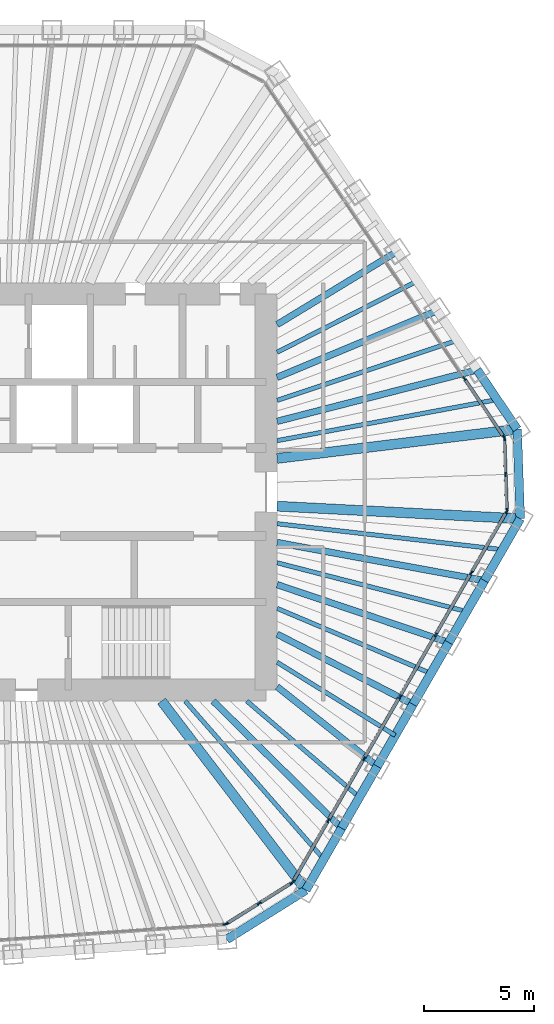
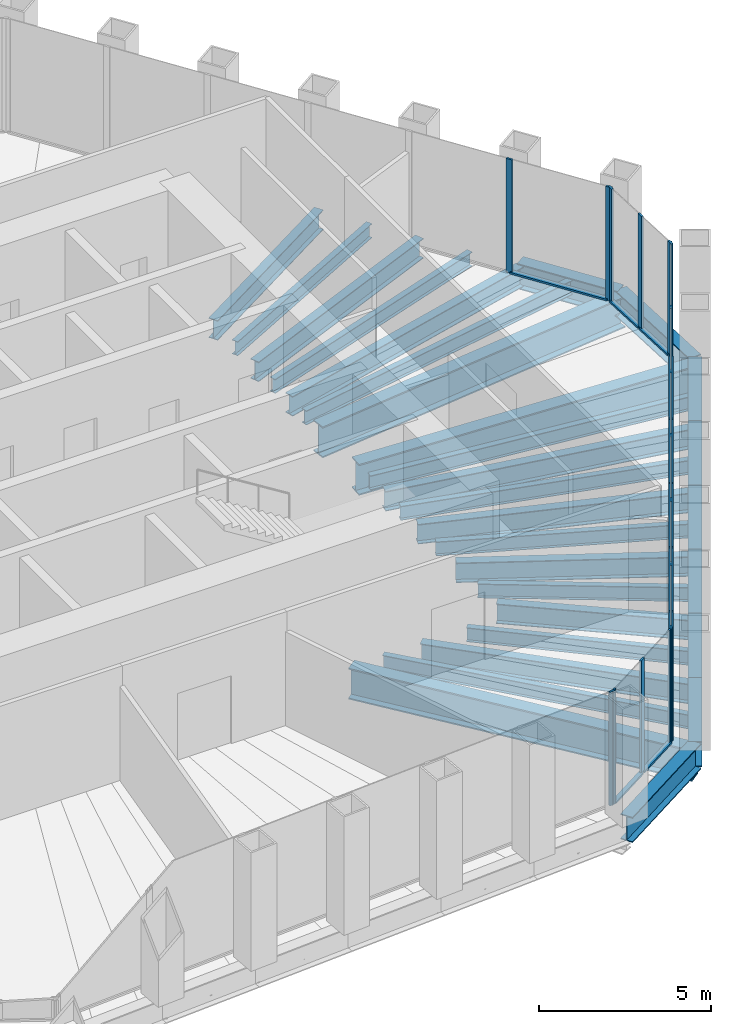
# One storey, part 5 of 14: 29 beams, 27 members, 5 elements without a shape of their own.
"""IFC4 building model written with IfcOpenShell, lengths in metres."""

from ifc_helpers import new_model, si_unit, direction, frame, origin, origin_2d, place, context, subcontext, project, spatial, rectangle, i_section, extrude, material, material_profile, profile_set, type_object, element, aggregate, save


model = new_model("IFC4")

# Units and contexts
model_context = context("Model", 3, precision=1e-05, world=origin(), true_north=direction((0.0, 1.0)))
body_context = subcontext(model_context, "Body", "Model", "MODEL_VIEW")
ifc_project = project(units=[si_unit("LENGTHUNIT", "METRE"), si_unit("AREAUNIT", "SQUARE_METRE"), si_unit("VOLUMEUNIT", "CUBIC_METRE"), si_unit("PLANEANGLEUNIT", "RADIAN"), si_unit("MASSUNIT", "GRAM", prefix="KILO")], contexts=[model_context])

# Site, building, storey
site_placement = place(None, origin())
site = spatial("IfcSite", under=ifc_project, at=site_placement, CompositionType="ELEMENT")
building_placement = place(site_placement, origin())
building = spatial("IfcBuilding", under=site, at=building_placement, Name="Qingtian Harvest Tower", CompositionType="ELEMENT")
storey_placement = place(building_placement, frame((0.0, 0.0, 287.199951171875)))
storey = spatial("IfcBuildingStorey", under=building, at=storey_placement, Name="L63", CompositionType="ELEMENT", Elevation=287.199951171875)

# Beams
ifc_material_1 = material(Name="Steel SM570MC", Category="steel")
ifc_material_profile_1 = material_profile(ifc_material_1, i_section(OverallWidth=0.449951171875, OverallDepth=1.10009765625, WebThickness=0.02197265625, FlangeThickness=0.044921875, at=origin_2d()), Name="H1100x450x22x45")
ifc_profile_set_1 = profile_set([ifc_material_profile_1], Name="Steel SM570MC")
beam_type_1 = type_object("IfcBeamType", Name="Corner floor beam FB8 H1100x450x22x45", PredefinedType="BEAM", material=ifc_profile_set_1)
beam_1_placement = place(storey_placement, frame((23.405517578125, 2.85400390625, -0.719970703125), z_axis=(-0.99264704984, -0.12104476215, 0.0), x_axis=(0.12104476215, -0.99264704984, 0.0)))
element("IfcBeam", 1, at=beam_1_placement, inside=storey, type_object=beam_type_1, Name="Floor beam FB8 NE6", PredefinedType="BEAM", context=body_context, shape_type="SweptSolid", body=[
    extrude(i_section(OverallWidth=0.449951171875, OverallDepth=1.10009765625, WebThickness=0.02197265625, FlangeThickness=0.044921875, at=origin_2d()), origin(), (0.0, 0.0, 1.0), 10.986328125),
])
beam_2_placement = place(storey_placement, frame((23.547607421875, -1.21435546875, -0.719970703125), z_axis=(-0.998672453152, 0.051510497131, 0.0), x_axis=(-0.051510497131, -0.998672453152, 0.0)))
element("IfcBeam", 2, at=beam_2_placement, inside=storey, type_object=beam_type_1, Name="Floor beam FB8 SE0", PredefinedType="BEAM", context=body_context, shape_type="SweptSolid", body=[
    extrude(i_section(OverallWidth=0.449951171875, OverallDepth=1.10009765625, WebThickness=0.02197265625, FlangeThickness=0.044921875, at=origin_2d()), origin(), (0.0, 0.0, 1.0), 11.062255859375),
])
beam_3_placement = place(storey_placement, frame((13.803466796875, -18.091552734375, -0.719970703125), z_axis=(-0.60658352266, 0.795019767073, 0.0), x_axis=(-0.795019767073, -0.60658352266, 0.0)))
element("IfcBeam", 3, at=beam_3_placement, inside=storey, type_object=beam_type_1, Name="Floor beam FB8 SE6", PredefinedType="BEAM", context=body_context, shape_type="SweptSolid", body=[
    extrude(i_section(OverallWidth=0.449951171875, OverallDepth=1.10009765625, WebThickness=0.02197265625, FlangeThickness=0.044921875, at=origin_2d()), origin(), (0.0, 0.0, 1.0), 10.806640625),
])
ifc_material_2 = material(Name="Steel SN490B", Category="steel")
ifc_material_profile_2 = material_profile(ifc_material_2, i_section(OverallWidth=0.300048828125, OverallDepth=0.699951171875, WebThickness=0.012939453125, FlangeThickness=0.02392578125, at=origin_2d()), Name="H700x300x13x24")
ifc_profile_set_2 = profile_set([ifc_material_profile_2], Name="Steel SN490B")
beam_type_2 = type_object("IfcBeamType", Name="Floor beam FB4 H700x300x13x24", PredefinedType="BEAM", material=ifc_profile_set_2)
beam_4_placement = place(storey_placement, frame((17.956787109375, 10.93212890625, -0.52001953125), z_axis=(-0.854163869478, -0.520003926983, 0.0), x_axis=(0.520003926983, -0.854163869478, 0.0)))
element("IfcBeam", 4, at=beam_4_placement, inside=storey, type_object=beam_type_2, Name="Floor beam FB4 NE3", PredefinedType="BEAM", context=body_context, shape_type="SweptSolid", body=[
    extrude(i_section(OverallWidth=0.300048828125, OverallDepth=0.699951171875, WebThickness=0.012939453125, FlangeThickness=0.02392578125, at=origin_2d()), origin(), (0.0, 0.0, 1.0), 6.388427734375),
])
beam_5_placement = place(storey_placement, frame((19.77294921875, 8.2392578125, -0.52001953125), z_axis=(-0.923071422518, -0.38462858569, 0.0), x_axis=(0.38462858569, -0.923071422518, 0.0)))
element("IfcBeam", 5, at=beam_5_placement, inside=storey, type_object=beam_type_2, Name="Floor beam FB4 NE4", PredefinedType="BEAM", context=body_context, shape_type="SweptSolid", body=[
    extrude(i_section(OverallWidth=0.300048828125, OverallDepth=0.699951171875, WebThickness=0.012939453125, FlangeThickness=0.02392578125, at=origin_2d()), origin(), (0.0, 0.0, 1.0), 7.879150390625),
])
beam_6_placement = place(storey_placement, frame((21.58935546875, 5.546630859375, -0.52001953125), z_axis=(-0.968545797703, -0.248835362746, 0.0), x_axis=(0.248835362746, -0.968545797703, 0.0)))
element("IfcBeam", 6, at=beam_6_placement, inside=storey, type_object=beam_type_2, Name="Floor beam FB4 NE5", PredefinedType="BEAM", context=body_context, shape_type="SweptSolid", body=[
    extrude(i_section(OverallWidth=0.300048828125, OverallDepth=0.699951171875, WebThickness=0.012939453125, FlangeThickness=0.02392578125, at=origin_2d()), origin(), (0.0, 0.0, 1.0), 9.384521484375),
])
beam_7_placement = place(storey_placement, frame((21.923583984375, -4.027099609375, -0.52001953125), z_axis=(-0.983545410638, 0.180661078303, 0.0), x_axis=(-0.180661078303, -0.983545410638, 0.0)))
element("IfcBeam", 7, at=beam_7_placement, inside=storey, type_object=beam_type_2, Name="Floor beam FB4 SE1", PredefinedType="BEAM", context=body_context, shape_type="SweptSolid", body=[
    extrude(i_section(OverallWidth=0.300048828125, OverallDepth=0.699951171875, WebThickness=0.012939453125, FlangeThickness=0.02392578125, at=origin_2d()), origin(), (0.0, 0.0, 1.0), 9.581298828125),
])
beam_8_placement = place(storey_placement, frame((20.299560546875, -6.840087890625, -0.52001953125), z_axis=(-0.947645968799, 0.319322905253, 0.0), x_axis=(-0.319322905253, -0.947645968799, 0.0)))
element("IfcBeam", 8, at=beam_8_placement, inside=storey, type_object=beam_type_2, Name="Floor beam FB4 SE2", PredefinedType="BEAM", context=body_context, shape_type="SweptSolid", body=[
    extrude(i_section(OverallWidth=0.300048828125, OverallDepth=0.699951171875, WebThickness=0.012939453125, FlangeThickness=0.02392578125, at=origin_2d()), origin(), (0.0, 0.0, 1.0), 8.23046875),
])
beam_9_placement = place(storey_placement, frame((18.675537109375, -9.65283203125, -0.52001953125), z_axis=(-0.888355479692, 0.459156336884, 0.0), x_axis=(-0.459156336884, -0.888355479692, 0.0)))
element("IfcBeam", 9, at=beam_9_placement, inside=storey, type_object=beam_type_2, Name="Floor beam FB4 SE3", PredefinedType="BEAM", context=body_context, shape_type="SweptSolid", body=[
    extrude(i_section(OverallWidth=0.300048828125, OverallDepth=0.699951171875, WebThickness=0.012939453125, FlangeThickness=0.02392578125, at=origin_2d()), origin(), (0.0, 0.0, 1.0), 6.95166015625),
])
beam_10_placement = place(storey_placement, frame((17.051513671875, -12.4658203125, -0.52001953125), z_axis=(-0.783003151269, 0.622017736968, 0.0), x_axis=(-0.622017736968, -0.783003151269, 0.0)))
element("IfcBeam", 10, at=beam_10_placement, inside=storey, type_object=beam_type_2, Name="Floor beam FB4 SE4", PredefinedType="BEAM", context=body_context, shape_type="SweptSolid", body=[
    extrude(i_section(OverallWidth=0.300048828125, OverallDepth=0.699951171875, WebThickness=0.012939453125, FlangeThickness=0.02392578125, at=origin_2d()), origin(), (0.0, 0.0, 1.0), 5.81298828125),
])
beam_11_placement = place(storey_placement, frame((15.427490234375, -15.278564453125, -0.52001953125), z_axis=(-0.710532187344, 0.703664700513, 0.0), x_axis=(-0.703664700513, -0.710532187344, 0.0)))
element("IfcBeam", 11, at=beam_11_placement, inside=storey, type_object=beam_type_2, Name="Floor beam FB4 SE5", PredefinedType="BEAM", context=body_context, shape_type="SweptSolid", body=[
    extrude(i_section(OverallWidth=0.300048828125, OverallDepth=0.699951171875, WebThickness=0.012939453125, FlangeThickness=0.02392578125, at=origin_2d()), origin(), (0.0, 0.0, 1.0), 8.212158203125),
])
ifc_material_3 = material(Name="Steel SN490B", Category="steel")
ifc_material_profile_3 = material_profile(ifc_material_3, i_section(OverallWidth=0.199951171875, OverallDepth=0.5, WebThickness=0.010009765625, FlangeThickness=0.01611328125, at=origin_2d()), Name="H500x200x10x16")
ifc_profile_set_3 = profile_set([ifc_material_profile_3], Name="Steel SN490B")
beam_type_3 = type_object("IfcBeamType", Name="Floor joist J3 H500x200x10x16", PredefinedType="JOIST", material=ifc_profile_set_3)
beam_12_placement = place(storey_placement, frame((18.864990234375, 9.585693359375, -0.419921875), z_axis=(-0.891515522375, -0.452990147094, 0.0), x_axis=(0.452990147094, -0.891515522375, 0.0)))
element("IfcBeam", 12, at=beam_12_placement, inside=storey, type_object=beam_type_3, Name="Floor joist J3 NE3", PredefinedType="JOIST", context=body_context, shape_type="SweptSolid", body=[
    extrude(i_section(OverallWidth=0.199951171875, OverallDepth=0.5, WebThickness=0.010009765625, FlangeThickness=0.01611328125, at=origin_2d()), origin(), (0.0, 0.0, 1.0), 7.139404296875),
])
beam_13_placement = place(storey_placement, frame((20.68115234375, 6.89306640625, -0.419921875), z_axis=(-0.94869179092, -0.316202286267, 0.0), x_axis=(0.316202286267, -0.94869179092, 0.0)))
element("IfcBeam", 13, at=beam_13_placement, inside=storey, type_object=beam_type_3, Name="Floor joist J3 NE4", PredefinedType="JOIST", context=body_context, shape_type="SweptSolid", body=[
    extrude(i_section(OverallWidth=0.199951171875, OverallDepth=0.5, WebThickness=0.010009765625, FlangeThickness=0.01611328125, at=origin_2d()), origin(), (0.0, 0.0, 1.0), 8.62353515625),
])
beam_14_placement = place(storey_placement, frame((22.49755859375, 4.2001953125, -0.419921875), z_axis=(-0.983015918388, -0.183520310038, 0.0), x_axis=(0.183520310038, -0.983015918388, 0.0)))
element("IfcBeam", 14, at=beam_14_placement, inside=storey, type_object=beam_type_3, Name="Floor joist J3 NE5", PredefinedType="JOIST", context=body_context, shape_type="SweptSolid", body=[
    extrude(i_section(OverallWidth=0.199951171875, OverallDepth=0.5, WebThickness=0.010009765625, FlangeThickness=0.01611328125, at=origin_2d()), origin(), (0.0, 0.0, 1.0), 10.17041015625),
])
beam_15_placement = place(storey_placement, frame((22.735595703125, -2.62060546875, -0.419921875), z_axis=(-0.993423767351, 0.114495495381, 0.0), x_axis=(-0.114495495381, -0.993423767351, 0.0)))
element("IfcBeam", 15, at=beam_15_placement, inside=storey, type_object=beam_type_3, Name="Floor joist J3 SE0", PredefinedType="JOIST", context=body_context, shape_type="SweptSolid", body=[
    extrude(i_section(OverallWidth=0.199951171875, OverallDepth=0.5, WebThickness=0.010009765625, FlangeThickness=0.01611328125, at=origin_2d()), origin(), (0.0, 0.0, 1.0), 10.303466796875),
])
beam_16_placement = place(storey_placement, frame((21.111572265625, -5.43359375, -0.419921875), z_axis=(-0.968434631662, 0.249267655738, 0.0), x_axis=(-0.249267655738, -0.968434631662, 0.0)))
element("IfcBeam", 16, at=beam_16_placement, inside=storey, type_object=beam_type_3, Name="Floor joist J3 SE1", PredefinedType="JOIST", context=body_context, shape_type="SweptSolid", body=[
    extrude(i_section(OverallWidth=0.199951171875, OverallDepth=0.5, WebThickness=0.010009765625, FlangeThickness=0.01611328125, at=origin_2d()), origin(), (0.0, 0.0, 1.0), 8.892333984375),
])
beam_17_placement = place(storey_placement, frame((19.487548828125, -8.246337890625, -0.419921875), z_axis=(-0.920942823677, 0.389697723265, 0.0), x_axis=(-0.389697723265, -0.920942823677, 0.0)))
element("IfcBeam", 17, at=beam_17_placement, inside=storey, type_object=beam_type_3, Name="Floor joist J3 SE2", PredefinedType="JOIST", context=body_context, shape_type="SweptSolid", body=[
    extrude(i_section(OverallWidth=0.199951171875, OverallDepth=0.5, WebThickness=0.010009765625, FlangeThickness=0.01611328125, at=origin_2d()), origin(), (0.0, 0.0, 1.0), 7.58740234375),
])
beam_18_placement = place(storey_placement, frame((17.863525390625, -11.059326171875, -0.419921875), z_axis=(-0.850245350939, 0.52638659102, 0.0), x_axis=(-0.52638659102, -0.850245350939, 0.0)))
element("IfcBeam", 18, at=beam_18_placement, inside=storey, type_object=beam_type_3, Name="Floor joist J3 SE3", PredefinedType="JOIST", context=body_context, shape_type="SweptSolid", body=[
    extrude(i_section(OverallWidth=0.199951171875, OverallDepth=0.5, WebThickness=0.010009765625, FlangeThickness=0.01611328125, at=origin_2d()), origin(), (0.0, 0.0, 1.0), 6.30810546875),
])
beam_19_placement = place(storey_placement, frame((16.239501953125, -13.8720703125, -0.419921875), z_axis=(-0.760351288112, 0.649512061987, 0.0), x_axis=(-0.649512061987, -0.760351288112, 0.0)))
element("IfcBeam", 19, at=beam_19_placement, inside=storey, type_object=beam_type_3, Name="Floor joist J3 SE4", PredefinedType="JOIST", context=body_context, shape_type="SweptSolid", body=[
    extrude(i_section(OverallWidth=0.199951171875, OverallDepth=0.5, WebThickness=0.010009765625, FlangeThickness=0.01611328125, at=origin_2d()), origin(), (0.0, 0.0, 1.0), 6.731201171875),
])
beam_20_placement = place(storey_placement, frame((14.615478515625, -16.68505859375, -0.419921875), z_axis=(-0.658906232771, 0.752225083612, 0.0), x_axis=(-0.752225083612, -0.658906232771, 0.0)))
element("IfcBeam", 20, at=beam_20_placement, inside=storey, type_object=beam_type_3, Name="Floor joist J3 SE5", PredefinedType="JOIST", context=body_context, shape_type="SweptSolid", body=[
    extrude(i_section(OverallWidth=0.199951171875, OverallDepth=0.5, WebThickness=0.010009765625, FlangeThickness=0.01611328125, at=origin_2d()), origin(), (0.0, 0.0, 1.0), 9.5517578125),
])

# Curtain wall, members
ifc_material_4 = material(Name="Bronze-anodised aluminium curtain wall", Category="aluminium")
curtain_wall_type = type_object("IfcCurtainWallType", Name="Curtain wall CW5 upper office", PredefinedType="USERDEFINED", material=ifc_material_4)
curtain_wall_1_placement = place(storey_placement, origin())
curtain_wall_1 = element("IfcCurtainWall", 21, at=curtain_wall_1_placement, inside=storey, type_object=curtain_wall_type, Name="Curtain wall CW5 L63 NE0-5", ObjectType="RECESSED CURTAIN WALL", PredefinedType="USERDEFINED")
ifc_material_5 = material(Name="Bronze-anodised aluminium mullion", Category="aluminium")
ifc_material_profile_4 = material_profile(ifc_material_5, rectangle(XDim=0.06494140625, YDim=0.199951171875, at=origin_2d()), Name="AL 65x200")
ifc_profile_set_4 = profile_set([ifc_material_profile_4], Name="Bronze-anodised aluminium mullion")
member_type_1 = type_object("IfcMemberType", Name="Mullion CWM 65x200", PredefinedType="MULLION", material=ifc_profile_set_4)
member_1_placement = place(storey_placement, frame((21.009033203125, 5.1552734375, 0.0), z_axis=(0.0, 0.0, 1.0), x_axis=(0.829037572555, 0.559192903471, 0.0)))
member_1 = element("IfcMember", 22, at=member_1_placement, type_object=member_type_1, Name="CW5 mullion 6", PredefinedType="MULLION", context=body_context, shape_type="SweptSolid", body=[
    extrude(rectangle(XDim=0.06494140625, YDim=0.199951171875, at=origin_2d()), origin(), (0.0, 0.0, 1.0), 4.030029296875),
])
member_2_placement = place(storey_placement, frame((22.80712890625, 2.489501953125, 0.0), z_axis=(0.0, 0.0, 1.0), x_axis=(0.829037572555, 0.559192903471, 0.0)))
member_2 = element("IfcMember", 23, at=member_2_placement, type_object=member_type_1, Name="CW5 mullion 7", PredefinedType="MULLION", context=body_context, shape_type="SweptSolid", body=[
    extrude(rectangle(XDim=0.06494140625, YDim=0.199951171875, at=origin_2d()), origin(), (0.0, 0.0, 1.0), 4.030029296875),
])

curtain_wall_2_placement = place(storey_placement, origin())
curtain_wall_2 = element("IfcCurtainWall", 24, at=curtain_wall_2_placement, inside=storey, type_object=curtain_wall_type, Name="Curtain wall CW5 L63 NEC", ObjectType="RECESSED CURTAIN WALL", PredefinedType="USERDEFINED")
member_3_placement = place(storey_placement, frame((22.826416015625, 2.429931640625, 0.0), z_axis=(0.0, 0.0, 1.0), x_axis=(0.999390827019, 0.034899496703, 0.0)))
member_3 = element("IfcMember", 25, at=member_3_placement, type_object=member_type_1, Name="CW5 mullion 1", PredefinedType="MULLION", context=body_context, shape_type="SweptSolid", body=[
    extrude(rectangle(XDim=0.06494140625, YDim=0.199951171875, at=origin_2d()), origin(), (0.0, 0.0, 1.0), 4.030029296875),
])
member_4_placement = place(storey_placement, frame((22.88330078125, 0.799072265625, 0.0), z_axis=(0.0, 0.0, 1.0), x_axis=(0.999390827019, 0.034899496703, 0.0)))
member_4 = element("IfcMember", 26, at=member_4_placement, type_object=member_type_1, Name="CW5 mullion 2", PredefinedType="MULLION", context=body_context, shape_type="SweptSolid", body=[
    extrude(rectangle(XDim=0.06494140625, YDim=0.199951171875, at=origin_2d()), origin(), (0.0, 0.0, 1.0), 4.030029296875),
])
member_5_placement = place(storey_placement, frame((22.9404296875, -0.831787109375, 0.0), z_axis=(0.0, 0.0, 1.0), x_axis=(0.999390827019, 0.034899496703, 0.0)))
member_5 = element("IfcMember", 27, at=member_5_placement, type_object=member_type_1, Name="CW5 mullion 3", PredefinedType="MULLION", context=body_context, shape_type="SweptSolid", body=[
    extrude(rectangle(XDim=0.06494140625, YDim=0.199951171875, at=origin_2d()), origin(), (0.0, 0.0, 1.0), 4.030029296875),
])

curtain_wall_3_placement = place(storey_placement, origin())
curtain_wall_3 = element("IfcCurtainWall", 28, at=curtain_wall_3_placement, inside=storey, type_object=curtain_wall_type, Name="Curtain wall CW5 L63 SE0-5", ObjectType="RECESSED CURTAIN WALL", PredefinedType="USERDEFINED")
member_6_placement = place(storey_placement, frame((22.92529296875, -0.892333984375, 0.0), z_axis=(0.0, 0.0, 1.0), x_axis=(0.866025403784, -0.5, 0.0)))
member_6 = element("IfcMember", 29, at=member_6_placement, type_object=member_type_1, Name="CW5 mullion 1", PredefinedType="MULLION", context=body_context, shape_type="SweptSolid", body=[
    extrude(rectangle(XDim=0.06494140625, YDim=0.199951171875, at=origin_2d()), origin(), (0.0, 0.0, 1.0), 4.030029296875),
])
member_7_placement = place(storey_placement, frame((21.3173828125, -3.67724609375, 0.0), z_axis=(0.0, 0.0, 1.0), x_axis=(0.866025403784, -0.5, 0.0)))
member_7 = element("IfcMember", 30, at=member_7_placement, type_object=member_type_1, Name="CW5 mullion 2", PredefinedType="MULLION", context=body_context, shape_type="SweptSolid", body=[
    extrude(rectangle(XDim=0.06494140625, YDim=0.199951171875, at=origin_2d()), origin(), (0.0, 0.0, 1.0), 4.030029296875),
])
member_8_placement = place(storey_placement, frame((19.693359375, -6.489990234375, 0.0), z_axis=(0.0, 0.0, 1.0), x_axis=(0.866025403784, -0.5, 0.0)))
member_8 = element("IfcMember", 31, at=member_8_placement, type_object=member_type_1, Name="CW5 mullion 3", PredefinedType="MULLION", context=body_context, shape_type="SweptSolid", body=[
    extrude(rectangle(XDim=0.06494140625, YDim=0.199951171875, at=origin_2d()), origin(), (0.0, 0.0, 1.0), 4.030029296875),
])
member_9_placement = place(storey_placement, frame((18.0693359375, -9.302978515625, 0.0), z_axis=(0.0, 0.0, 1.0), x_axis=(0.866025403784, -0.5, 0.0)))
member_9 = element("IfcMember", 32, at=member_9_placement, type_object=member_type_1, Name="CW5 mullion 4", PredefinedType="MULLION", context=body_context, shape_type="SweptSolid", body=[
    extrude(rectangle(XDim=0.06494140625, YDim=0.199951171875, at=origin_2d()), origin(), (0.0, 0.0, 1.0), 4.030029296875),
])
member_10_placement = place(storey_placement, frame((16.4453125, -12.11572265625, 0.0), z_axis=(0.0, 0.0, 1.0), x_axis=(0.866025403784, -0.5, 0.0)))
member_10 = element("IfcMember", 33, at=member_10_placement, type_object=member_type_1, Name="CW5 mullion 5", PredefinedType="MULLION", context=body_context, shape_type="SweptSolid", body=[
    extrude(rectangle(XDim=0.06494140625, YDim=0.199951171875, at=origin_2d()), origin(), (0.0, 0.0, 1.0), 4.030029296875),
])
member_11_placement = place(storey_placement, frame((14.8212890625, -14.9287109375, 0.0), z_axis=(0.0, 0.0, 1.0), x_axis=(0.866025403784, -0.5, 0.0)))
member_11 = element("IfcMember", 34, at=member_11_placement, type_object=member_type_1, Name="CW5 mullion 6", PredefinedType="MULLION", context=body_context, shape_type="SweptSolid", body=[
    extrude(rectangle(XDim=0.06494140625, YDim=0.199951171875, at=origin_2d()), origin(), (0.0, 0.0, 1.0), 4.030029296875),
])
member_12_placement = place(storey_placement, frame((13.213623046875, -17.71337890625, 0.0), z_axis=(0.0, 0.0, 1.0), x_axis=(0.866025403784, -0.5, 0.0)))
member_12 = element("IfcMember", 35, at=member_12_placement, type_object=member_type_1, Name="CW5 mullion 7", PredefinedType="MULLION", context=body_context, shape_type="SweptSolid", body=[
    extrude(rectangle(XDim=0.06494140625, YDim=0.199951171875, at=origin_2d()), origin(), (0.0, 0.0, 1.0), 4.030029296875),
])

curtain_wall_4_placement = place(storey_placement, origin())
curtain_wall_4 = element("IfcCurtainWall", 36, at=curtain_wall_4_placement, inside=storey, type_object=curtain_wall_type, Name="Curtain wall CW5 L63 SEC", ObjectType="RECESSED CURTAIN WALL", PredefinedType="USERDEFINED")
member_13_placement = place(storey_placement, frame((13.169921875, -17.7587890625, 0.0), z_axis=(0.0, 0.0, 1.0), x_axis=(0.529919264233, -0.848048096156, 0.0)))
member_13 = element("IfcMember", 37, at=member_13_placement, type_object=member_type_1, Name="CW5 mullion 1", PredefinedType="MULLION", context=body_context, shape_type="SweptSolid", body=[
    extrude(rectangle(XDim=0.06494140625, YDim=0.199951171875, at=origin_2d()), origin(), (0.0, 0.0, 1.0), 4.030029296875),
])
member_14_placement = place(storey_placement, frame((11.678955078125, -18.690185546875, 0.0), z_axis=(0.0, 0.0, 1.0), x_axis=(0.529919264233, -0.848048096156, 0.0)))
member_14 = element("IfcMember", 38, at=member_14_placement, type_object=member_type_1, Name="CW5 mullion 2", PredefinedType="MULLION", context=body_context, shape_type="SweptSolid", body=[
    extrude(rectangle(XDim=0.06494140625, YDim=0.199951171875, at=origin_2d()), origin(), (0.0, 0.0, 1.0), 4.030029296875),
])
member_15_placement = place(storey_placement, frame((10.188232421875, -19.621826171875, 0.0), z_axis=(0.0, 0.0, 1.0), x_axis=(0.529919264233, -0.848048096156, 0.0)))
member_15 = element("IfcMember", 39, at=member_15_placement, type_object=member_type_1, Name="CW5 mullion 3", PredefinedType="MULLION", context=body_context, shape_type="SweptSolid", body=[
    extrude(rectangle(XDim=0.06494140625, YDim=0.199951171875, at=origin_2d()), origin(), (0.0, 0.0, 1.0), 4.030029296875),
])

# Curtain wall, member
curtain_wall_5_placement = place(storey_placement, origin())
curtain_wall_5 = element("IfcCurtainWall", 40, at=curtain_wall_5_placement, inside=storey, type_object=curtain_wall_type, Name="Curtain wall CW5 L63 S0-5", ObjectType="RECESSED CURTAIN WALL", PredefinedType="USERDEFINED")
member_16_placement = place(storey_placement, frame((10.128173828125, -19.641357421875, 0.0), z_axis=(0.0, 0.0, 1.0), x_axis=(0.069756473744, -0.99756405026, 0.0)))
member_16 = element("IfcMember", 41, at=member_16_placement, type_object=member_type_1, Name="CW5 mullion 1", PredefinedType="MULLION", context=body_context, shape_type="SweptSolid", body=[
    extrude(rectangle(XDim=0.06494140625, YDim=0.199951171875, at=origin_2d()), origin(), (0.0, 0.0, 1.0), 4.030029296875),
])
aggregate(curtain_wall_5, [member_16])

# Beams
ifc_material_6 = material(Name="Steel SN490B", Category="steel")
ifc_material_profile_5 = material_profile(ifc_material_6, i_section(OverallWidth=0.39990234375, OverallDepth=0.89990234375, WebThickness=0.01904296875, FlangeThickness=0.035888671875, at=origin_2d()), Name="H900x400x19x36")
ifc_profile_set_5 = profile_set([ifc_material_profile_5], Name="Steel SN490B")
beam_type_4 = type_object("IfcBeamType", Name="Spandrel beam SB4 H900x400x19x36", PredefinedType="SPANDREL", material=ifc_profile_set_5)
beam_21_placement = place(storey_placement, frame((21.58935546875, 5.546630859375, -0.449951171875), z_axis=(0.559184924833, -0.829042954158, 0.0), x_axis=(0.829042954158, 0.559184924833, 0.0)))
element("IfcBeam", 42, at=beam_21_placement, inside=storey, type_object=beam_type_4, Name="Spandrel SB4 NE5", PredefinedType="SPANDREL", context=body_context, shape_type="SweptSolid", body=[
    extrude(i_section(OverallWidth=0.39990234375, OverallDepth=0.89990234375, WebThickness=0.01904296875, FlangeThickness=0.035888671875, at=origin_2d()), origin(), (0.0, 0.0, 1.0), 3.247802734375),
])
beam_22_placement = place(storey_placement, frame((23.405517578125, 2.85400390625, -0.449951171875), z_axis=(0.034904306503, -0.999390659046, 0.0), x_axis=(0.999390659046, 0.034904306503, 0.0)))
element("IfcBeam", 43, at=beam_22_placement, inside=storey, type_object=beam_type_4, Name="Spandrel SB4 NEC", PredefinedType="SPANDREL", context=body_context, shape_type="SweptSolid", body=[
    extrude(i_section(OverallWidth=0.39990234375, OverallDepth=0.89990234375, WebThickness=0.01904296875, FlangeThickness=0.035888671875, at=origin_2d()), origin(), (0.0, 0.0, 1.0), 4.07080078125),
])
beam_23_placement = place(storey_placement, frame((23.547607421875, -1.21435546875, -0.449951171875), z_axis=(-0.500019593356, -0.866014091259, 0.0), x_axis=(0.866014091259, -0.500019593356, 0.0)))
element("IfcBeam", 44, at=beam_23_placement, inside=storey, type_object=beam_type_4, Name="Spandrel SB4 SE0", PredefinedType="SPANDREL", context=body_context, shape_type="SweptSolid", body=[
    extrude(i_section(OverallWidth=0.39990234375, OverallDepth=0.89990234375, WebThickness=0.01904296875, FlangeThickness=0.035888671875, at=origin_2d()), origin(), (0.0, 0.0, 1.0), 3.247802734375),
])
beam_24_placement = place(storey_placement, frame((21.923583984375, -4.027099609375, -0.449951171875), z_axis=(-0.499987045439, -0.866032882975, 0.0), x_axis=(0.866032882975, -0.499987045439, 0.0)))
element("IfcBeam", 45, at=beam_24_placement, inside=storey, type_object=beam_type_4, Name="Spandrel SB4 SE1", PredefinedType="SPANDREL", context=body_context, shape_type="SweptSolid", body=[
    extrude(i_section(OverallWidth=0.39990234375, OverallDepth=0.89990234375, WebThickness=0.01904296875, FlangeThickness=0.035888671875, at=origin_2d()), origin(), (0.0, 0.0, 1.0), 3.248046875),
])
beam_25_placement = place(storey_placement, frame((20.299560546875, -6.840087890625, -0.449951171875), z_axis=(-0.500019593356, -0.866014091259, 0.0), x_axis=(0.866014091259, -0.500019593356, 0.0)))
element("IfcBeam", 46, at=beam_25_placement, inside=storey, type_object=beam_type_4, Name="Spandrel SB4 SE2", PredefinedType="SPANDREL", context=body_context, shape_type="SweptSolid", body=[
    extrude(i_section(OverallWidth=0.39990234375, OverallDepth=0.89990234375, WebThickness=0.01904296875, FlangeThickness=0.035888671875, at=origin_2d()), origin(), (0.0, 0.0, 1.0), 3.247802734375),
])
beam_26_placement = place(storey_placement, frame((18.675537109375, -9.65283203125, -0.449951171875), z_axis=(-0.499987045439, -0.866032882975, 0.0), x_axis=(0.866032882975, -0.499987045439, 0.0)))
element("IfcBeam", 47, at=beam_26_placement, inside=storey, type_object=beam_type_4, Name="Spandrel SB4 SE3", PredefinedType="SPANDREL", context=body_context, shape_type="SweptSolid", body=[
    extrude(i_section(OverallWidth=0.39990234375, OverallDepth=0.89990234375, WebThickness=0.01904296875, FlangeThickness=0.035888671875, at=origin_2d()), origin(), (0.0, 0.0, 1.0), 3.248046875),
])
beam_27_placement = place(storey_placement, frame((17.051513671875, -12.4658203125, -0.449951171875), z_axis=(-0.500019593356, -0.866014091259, 0.0), x_axis=(0.866014091259, -0.500019593356, 0.0)))
element("IfcBeam", 48, at=beam_27_placement, inside=storey, type_object=beam_type_4, Name="Spandrel SB4 SE4", PredefinedType="SPANDREL", context=body_context, shape_type="SweptSolid", body=[
    extrude(i_section(OverallWidth=0.39990234375, OverallDepth=0.89990234375, WebThickness=0.01904296875, FlangeThickness=0.035888671875, at=origin_2d()), origin(), (0.0, 0.0, 1.0), 3.247802734375),
])
beam_28_placement = place(storey_placement, frame((15.427490234375, -15.278564453125, -0.449951171875), z_axis=(-0.499987045439, -0.866032882975, 0.0), x_axis=(0.866032882975, -0.499987045439, 0.0)))
element("IfcBeam", 49, at=beam_28_placement, inside=storey, type_object=beam_type_4, Name="Spandrel SB4 SE5", PredefinedType="SPANDREL", context=body_context, shape_type="SweptSolid", body=[
    extrude(i_section(OverallWidth=0.39990234375, OverallDepth=0.89990234375, WebThickness=0.01904296875, FlangeThickness=0.035888671875, at=origin_2d()), origin(), (0.0, 0.0, 1.0), 3.248046875),
])
beam_29_placement = place(storey_placement, frame((13.803466796875, -18.091552734375, -0.449951171875), z_axis=(-0.848040374245, -0.529931621675, 0.0), x_axis=(0.529931621675, -0.848040374245, 0.0)))
element("IfcBeam", 50, at=beam_29_placement, inside=storey, type_object=beam_type_4, Name="Spandrel SB4 SEC", PredefinedType="SPANDREL", context=body_context, shape_type="SweptSolid", body=[
    extrude(i_section(OverallWidth=0.39990234375, OverallDepth=0.89990234375, WebThickness=0.01904296875, FlangeThickness=0.035888671875, at=origin_2d()), origin(), (0.0, 0.0, 1.0), 4.238037109375),
])

# Member
ifc_material_7 = material(Name="Bronze-anodised aluminium transom", Category="aluminium")
ifc_material_profile_6 = material_profile(ifc_material_7, rectangle(XDim=0.14990234375, YDim=0.06494140625, at=origin_2d()), Name="AL 65x150")
ifc_profile_set_6 = profile_set([ifc_material_profile_6], Name="Bronze-anodised aluminium transom")
member_type_2 = type_object("IfcMemberType", Name="Transom CWT 65x150", PredefinedType="USERDEFINED", material=ifc_profile_set_6)
member_17_placement = place(storey_placement, frame((21.027099609375, 5.128173828125, 0.032470703125), z_axis=(0.559198649732, -0.829033696624, 0.0), x_axis=(0.829033696624, 0.559198649732, 0.0)))
member_17 = element("IfcMember", 51, at=member_17_placement, type_object=member_type_2, Name="CW5 transom 6.1", ObjectType="TRANSOM", PredefinedType="USERDEFINED", context=body_context, shape_type="SweptSolid", body=[
    extrude(rectangle(XDim=0.14990234375, YDim=0.06494140625, at=origin_2d()), origin(), (0.0, 0.0, 1.0), 3.150390625),
])

aggregate(curtain_wall_1, [member_1, member_2, member_17])

member_18_placement = place(storey_placement, frame((22.82763671875, 2.3974609375, 0.032470703125), z_axis=(0.034902326647, -0.999390728191, 0.0), x_axis=(0.999390728191, 0.034902326647, 0.0)))
member_18 = element("IfcMember", 52, at=member_18_placement, type_object=member_type_2, Name="CW5 transom 1.1", ObjectType="TRANSOM", PredefinedType="USERDEFINED", context=body_context, shape_type="SweptSolid", body=[
    extrude(rectangle(XDim=0.14990234375, YDim=0.06494140625, at=origin_2d()), origin(), (0.0, 0.0, 1.0), 1.56689453125),
])

member_19_placement = place(storey_placement, frame((22.884521484375, 0.7666015625, 0.032470703125), z_axis=(0.034902326647, -0.999390728191, 0.0), x_axis=(0.999390728191, 0.034902326647, 0.0)))
member_19 = element("IfcMember", 53, at=member_19_placement, type_object=member_type_2, Name="CW5 transom 2.1", ObjectType="TRANSOM", PredefinedType="USERDEFINED", context=body_context, shape_type="SweptSolid", body=[
    extrude(rectangle(XDim=0.14990234375, YDim=0.06494140625, at=origin_2d()), origin(), (0.0, 0.0, 1.0), 1.56689453125),
])

aggregate(curtain_wall_2, [member_3, member_4, member_5, member_18, member_19])

member_20_placement = place(storey_placement, frame((22.908935546875, -0.920654296875, 0.032470703125), z_axis=(-0.50000643655, -0.866021687608, 0.0), x_axis=(0.866021687608, -0.50000643655, 0.0)))
member_20 = element("IfcMember", 54, at=member_20_placement, type_object=member_type_2, Name="CW5 transom 1.1", ObjectType="TRANSOM", PredefinedType="USERDEFINED", context=body_context, shape_type="SweptSolid", body=[
    extrude(rectangle(XDim=0.14990234375, YDim=0.06494140625, at=origin_2d()), origin(), (0.0, 0.0, 1.0), 3.150390625),
])

member_21_placement = place(storey_placement, frame((21.30126953125, -3.705322265625, 0.032470703125), z_axis=(-0.5000079448, -0.866020816803, 0.0), x_axis=(0.866020816803, -0.5000079448, 0.0)))
member_21 = element("IfcMember", 55, at=member_21_placement, type_object=member_type_2, Name="CW5 transom 2.1", ObjectType="TRANSOM", PredefinedType="USERDEFINED", context=body_context, shape_type="SweptSolid", body=[
    extrude(rectangle(XDim=0.14990234375, YDim=0.06494140625, at=origin_2d()), origin(), (0.0, 0.0, 1.0), 3.18310546875),
])

member_22_placement = place(storey_placement, frame((19.67724609375, -6.51806640625, 0.032470703125), z_axis=(-0.5000079448, -0.866020816803, 0.0), x_axis=(0.866020816803, -0.5000079448, 0.0)))
member_22 = element("IfcMember", 56, at=member_22_placement, type_object=member_type_2, Name="CW5 transom 3.1", ObjectType="TRANSOM", PredefinedType="USERDEFINED", context=body_context, shape_type="SweptSolid", body=[
    extrude(rectangle(XDim=0.14990234375, YDim=0.06494140625, at=origin_2d()), origin(), (0.0, 0.0, 1.0), 3.18310546875),
])

member_23_placement = place(storey_placement, frame((18.05322265625, -9.3310546875, 0.032470703125), z_axis=(-0.5000079448, -0.866020816803, 0.0), x_axis=(0.866020816803, -0.5000079448, 0.0)))
member_23 = element("IfcMember", 57, at=member_23_placement, type_object=member_type_2, Name="CW5 transom 4.1", ObjectType="TRANSOM", PredefinedType="USERDEFINED", context=body_context, shape_type="SweptSolid", body=[
    extrude(rectangle(XDim=0.14990234375, YDim=0.06494140625, at=origin_2d()), origin(), (0.0, 0.0, 1.0), 3.18310546875),
])

member_24_placement = place(storey_placement, frame((16.42919921875, -12.143798828125, 0.032470703125), z_axis=(-0.5000079448, -0.866020816803, 0.0), x_axis=(0.866020816803, -0.5000079448, 0.0)))
member_24 = element("IfcMember", 58, at=member_24_placement, type_object=member_type_2, Name="CW5 transom 5.1", ObjectType="TRANSOM", PredefinedType="USERDEFINED", context=body_context, shape_type="SweptSolid", body=[
    extrude(rectangle(XDim=0.14990234375, YDim=0.06494140625, at=origin_2d()), origin(), (0.0, 0.0, 1.0), 3.18310546875),
])

member_25_placement = place(storey_placement, frame((14.80517578125, -14.956787109375, 0.032470703125), z_axis=(-0.499972881236, -0.866041060244, 0.0), x_axis=(0.866041060244, -0.499972881236, 0.0)))
member_25 = element("IfcMember", 59, at=member_25_placement, type_object=member_type_2, Name="CW5 transom 6.1", ObjectType="TRANSOM", PredefinedType="USERDEFINED", context=body_context, shape_type="SweptSolid", body=[
    extrude(rectangle(XDim=0.14990234375, YDim=0.06494140625, at=origin_2d()), origin(), (0.0, 0.0, 1.0), 3.150634765625),
])

aggregate(curtain_wall_3, [member_6, member_7, member_8, member_9, member_10, member_11, member_12, member_20, member_21, member_22, member_23, member_24, member_25])

member_26_placement = place(storey_placement, frame((13.142333984375, -17.77587890625, 0.032470703125), z_axis=(-0.84803880708, -0.529934129573, 0.0), x_axis=(0.529934129573, -0.84803880708, 0.0)))
member_26 = element("IfcMember", 60, at=member_26_placement, type_object=member_type_2, Name="CW5 transom 1.1", ObjectType="TRANSOM", PredefinedType="USERDEFINED", context=body_context, shape_type="SweptSolid", body=[
    extrude(rectangle(XDim=0.14990234375, YDim=0.06494140625, at=origin_2d()), origin(), (0.0, 0.0, 1.0), 1.693115234375),
])

member_27_placement = place(storey_placement, frame((11.6513671875, -18.70751953125, 0.032470703125), z_axis=(-0.847998304005, -0.529998940003, 0.0), x_axis=(0.529998940003, -0.847998304005, 0.0)))
member_27 = element("IfcMember", 61, at=member_27_placement, type_object=member_type_2, Name="CW5 transom 2.1", ObjectType="TRANSOM", PredefinedType="USERDEFINED", context=body_context, shape_type="SweptSolid", body=[
    extrude(rectangle(XDim=0.14990234375, YDim=0.06494140625, at=origin_2d()), origin(), (0.0, 0.0, 1.0), 1.69287109375),
])

aggregate(curtain_wall_4, [member_13, member_14, member_15, member_26, member_27])

save(model, "model.ifc")
